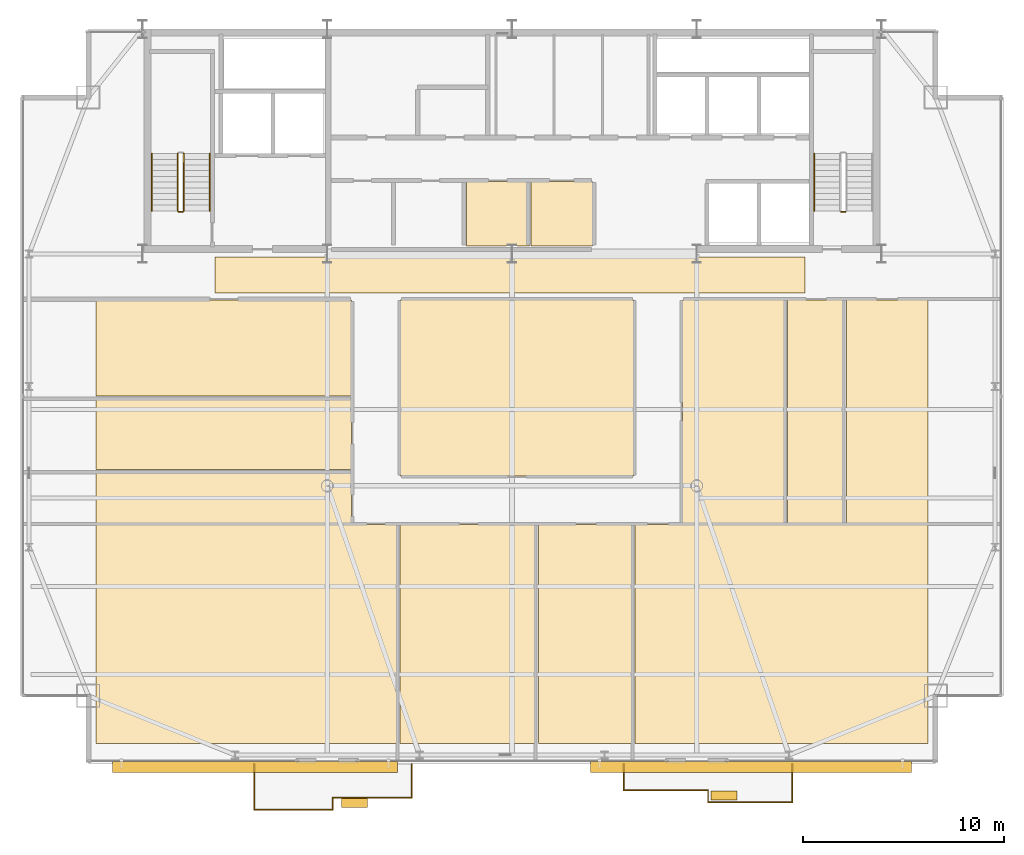
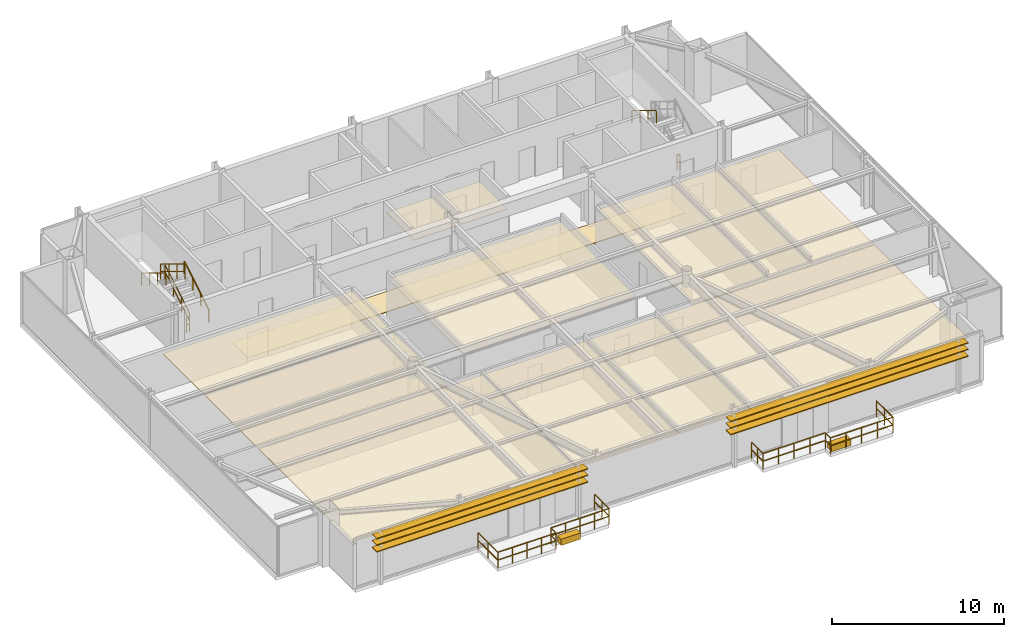
# One storey, part 29 of 30: 17 railings, 16 coverings, 6 shading devices.
"""IFC4 building model written with IfcOpenShell, lengths in metres."""

from ifc_helpers import new_model, si_unit, direction, frame, origin, origin_2d, place, context, subcontext, project, spatial, polyline, rectangle, outline, extrude, source, transform, mapped, material, layer, layer_set, type_object, type_shapes, element, save


model = new_model("IFC4")

# Units and contexts
model_context = context("Model", 3, precision=1e-05, world=origin(), true_north=direction((0.0, 1.0)))
body_context = subcontext(model_context, "Body", "Model", "MODEL_VIEW")
ifc_project = project(units=[si_unit("LENGTHUNIT", "METRE"), si_unit("AREAUNIT", "SQUARE_METRE"), si_unit("VOLUMEUNIT", "CUBIC_METRE"), si_unit("PLANEANGLEUNIT", "RADIAN"), si_unit("MASSUNIT", "GRAM", prefix="KILO")], contexts=[model_context])

# Site, building, storey
site_placement = place(None, origin())
site = spatial("IfcSite", under=ifc_project, at=site_placement, CompositionType="ELEMENT")
building_placement = place(site_placement, origin())
building = spatial("IfcBuilding", under=site, at=building_placement, Name="Varnel Quay Broadcast Tower", CompositionType="ELEMENT")
storey_placement = place(building_placement, frame((0.0, 0.0, 247.0)))
storey = spatial("IfcBuildingStorey", under=building, at=storey_placement, Name="L61", CompositionType="ELEMENT", Elevation=247.0)

# Coverings
ifc_material_1 = material(Name="Micro-Perforated Acoustic Ceiling Tile")
ifc_layer_1 = layer(ifc_material_1, 0.0400390625, Name="Micro-Perforated Acoustic Ceiling Tile")
ifc_layer_set_1 = layer_set([ifc_layer_1], Name="Micro-Perforated Acoustic Ceiling Tile")
covering_type_1 = type_object("IfcCoveringType", Name="Cov_AcousticCeiling", PredefinedType="CEILING", material=ifc_layer_set_1)
covering_1_placement = place(storey_placement, frame((0.0, 0.0, 2.580078125)))
element("IfcCovering", 1, at=covering_1_placement, inside=storey, type_object=covering_type_1, Name="L61 Broadcast First-Aid & Quiet Room Acoustic Ceiling", PredefinedType="CEILING", context=body_context, shape_type="SweptSolid", body=[
    extrude(outline(polyline([(31.735107421875, 35.985107421875), (34.864990234375, 35.985107421875), (34.864990234375, 39.215087890625), (31.735107421875, 39.215087890625), (31.735107421875, 35.985107421875)])), origin(), (0.0, 0.0, 1.0), 0.0400390625),
])
covering_2_placement = place(storey_placement, frame((0.0, 0.0, 2.580078125)))
element("IfcCovering", 2, at=covering_2_placement, inside=storey, type_object=covering_type_1, Name="L61 Zone Lighting Dimmer Room Acoustic Ceiling", PredefinedType="CEILING", context=body_context, shape_type="SweptSolid", body=[
    extrude(outline(polyline([(34.93505859375, 35.985107421875), (38.014892578125, 35.985107421875), (38.014892578125, 39.215087890625), (34.93505859375, 39.215087890625), (34.93505859375, 35.985107421875)])), origin(), (0.0, 0.0, 1.0), 0.0400390625),
])
covering_3_placement = place(storey_placement, frame((0.0, 0.0, 2.580078125)))
element("IfcCovering", 3, at=covering_3_placement, inside=storey, type_object=covering_type_1, Name="L61 Catering Kitchen 1 Acoustic Ceiling", PredefinedType="CEILING", context=body_context, shape_type="SweptSolid", body=[
    extrude(outline(polyline([(13.284912109375, 11.22509765625), (28.364990234375, 11.22509765625), (28.364990234375, 22.125), (13.284912109375, 22.125), (13.284912109375, 11.22509765625)])), origin(), (0.0, 0.0, 1.0), 0.0400390625),
])
covering_4_placement = place(storey_placement, frame((0.0, 0.0, 2.580078125)))
element("IfcCovering", 4, at=covering_4_placement, inside=storey, type_object=covering_type_1, Name="L61 Bureau Office 2 Acoustic Ceiling", PredefinedType="CEILING", context=body_context, shape_type="SweptSolid", body=[
    extrude(outline(polyline([(28.43505859375, 11.22509765625), (35.2451171875, 11.22509765625), (35.2451171875, 22.125), (28.43505859375, 22.125), (28.43505859375, 11.22509765625)])), origin(), (0.0, 0.0, 1.0), 0.0400390625),
])
covering_5_placement = place(storey_placement, frame((0.0, 0.0, 2.580078125)))
element("IfcCovering", 5, at=covering_5_placement, inside=storey, type_object=covering_type_1, Name="L61 Reading Lounge 3 Acoustic Ceiling", PredefinedType="CEILING", context=body_context, shape_type="SweptSolid", body=[
    extrude(outline(polyline([(35.31494140625, 11.22509765625), (40.06494140625, 11.22509765625), (40.06494140625, 22.125), (35.31494140625, 22.125), (35.31494140625, 11.22509765625)])), origin(), (0.0, 0.0, 1.0), 0.0400390625),
])
covering_6_placement = place(storey_placement, frame((0.0, 0.0, 2.580078125)))
element("IfcCovering", 6, at=covering_6_placement, inside=storey, type_object=covering_type_1, Name="L61 Broadcast Seminar Room 4 Acoustic Ceiling", PredefinedType="CEILING", context=body_context, shape_type="SweptSolid", body=[
    extrude(outline(polyline([(40.135009765625, 11.22509765625), (54.715087890625, 11.22509765625), (54.715087890625, 22.125), (40.135009765625, 22.125), (40.135009765625, 11.22509765625)])), origin(), (0.0, 0.0, 1.0), 0.0400390625),
])
covering_7_placement = place(storey_placement, frame((0.0, 0.0, 2.580078125)))
element("IfcCovering", 7, at=covering_7_placement, inside=storey, type_object=covering_type_1, Name="L61 Press Briefing Room 5 Acoustic Ceiling", PredefinedType="CEILING", context=body_context, shape_type="SweptSolid", body=[
    extrude(outline(polyline([(13.284912109375, 22.195068359375), (26.014892578125, 22.195068359375), (26.014892578125, 24.804931640625), (13.284912109375, 24.804931640625), (13.284912109375, 22.195068359375)])), origin(), (0.0, 0.0, 1.0), 0.0400390625),
])
covering_8_placement = place(storey_placement, frame((0.0, 0.0, 2.580078125)))
element("IfcCovering", 8, at=covering_8_placement, inside=storey, type_object=covering_type_1, Name="L61 Editorial Huddle Room 6 Acoustic Ceiling", PredefinedType="CEILING", context=body_context, shape_type="SweptSolid", body=[
    extrude(outline(polyline([(13.284912109375, 24.875), (26.014892578125, 24.875), (26.014892578125, 28.465087890625), (13.284912109375, 28.465087890625), (13.284912109375, 24.875)])), origin(), (0.0, 0.0, 1.0), 0.0400390625),
])
covering_9_placement = place(storey_placement, frame((0.0, 0.0, 2.580078125)))
element("IfcCovering", 9, at=covering_9_placement, inside=storey, type_object=covering_type_1, Name="L61 Journalism Training Studio 7 Acoustic Ceiling", PredefinedType="CEILING", context=body_context, shape_type="SweptSolid", body=[
    extrude(outline(polyline([(13.284912109375, 28.534912109375), (26.014892578125, 28.534912109375), (26.014892578125, 33.31494140625), (13.284912109375, 33.31494140625), (13.284912109375, 28.534912109375)])), origin(), (0.0, 0.0, 1.0), 0.0400390625),
])
covering_10_placement = place(storey_placement, frame((0.0, 0.0, 2.580078125)))
element("IfcCovering", 10, at=covering_10_placement, inside=storey, type_object=covering_type_1, Name="L61 Catering Kitchen 8 Acoustic Ceiling", PredefinedType="CEILING", context=body_context, shape_type="SweptSolid", body=[
    extrude(outline(polyline([(28.43505859375, 24.544921875), (40.06494140625, 24.544921875), (40.06494140625, 33.31494140625), (28.43505859375, 33.31494140625), (28.43505859375, 24.544921875)])), origin(), (0.0, 0.0, 1.0), 0.0400390625),
])
covering_11_placement = place(storey_placement, frame((0.0, 0.0, 2.580078125)))
element("IfcCovering", 11, at=covering_11_placement, inside=storey, type_object=covering_type_1, Name="L61 Bureau Office 9 Acoustic Ceiling", PredefinedType="CEILING", context=body_context, shape_type="SweptSolid", body=[
    extrude(outline(polyline([(42.485107421875, 22.195068359375), (47.655029296875, 22.195068359375), (47.655029296875, 33.31494140625), (42.485107421875, 33.31494140625), (42.485107421875, 22.195068359375)])), origin(), (0.0, 0.0, 1.0), 0.0400390625),
])
covering_12_placement = place(storey_placement, frame((0.0, 0.0, 2.580078125)))
element("IfcCovering", 12, at=covering_12_placement, inside=storey, type_object=covering_type_1, Name="L61 Reading Lounge 10 Acoustic Ceiling", PredefinedType="CEILING", context=body_context, shape_type="SweptSolid", body=[
    extrude(outline(polyline([(47.72509765625, 22.195068359375), (50.574951171875, 22.195068359375), (50.574951171875, 33.31494140625), (47.72509765625, 33.31494140625), (47.72509765625, 22.195068359375)])), origin(), (0.0, 0.0, 1.0), 0.0400390625),
])
covering_13_placement = place(storey_placement, frame((0.0, 0.0, 2.580078125)))
element("IfcCovering", 13, at=covering_13_placement, inside=storey, type_object=covering_type_1, Name="L61 Broadcast Seminar Room 11 Acoustic Ceiling", PredefinedType="CEILING", context=body_context, shape_type="SweptSolid", body=[
    extrude(outline(polyline([(50.64501953125, 22.195068359375), (54.715087890625, 22.195068359375), (54.715087890625, 33.31494140625), (50.64501953125, 33.31494140625), (50.64501953125, 22.195068359375)])), origin(), (0.0, 0.0, 1.0), 0.0400390625),
])
ifc_material_2 = material(Name="Polished Terrazzo & Broadcast Raised Flooring")
ifc_layer_2 = layer(ifc_material_2, 0.0400390625, Name="Polished Terrazzo & Broadcast Raised Flooring")
ifc_layer_set_2 = layer_set([ifc_layer_2], Name="Polished Terrazzo & Broadcast Raised Flooring")
covering_type_2 = type_object("IfcCoveringType", Name="Cov_TerrazzoFloor", PredefinedType="FLOORING", material=ifc_layer_set_2)
covering_14_placement = place(storey_placement, origin())
element("IfcCovering", 14, at=covering_14_placement, inside=storey, type_object=covering_type_2, Name="L61 Corridor Terrazzo Flooring", PredefinedType="FLOORING", context=body_context, shape_type="SweptSolid", body=[
    extrude(outline(polyline([(19.199951171875, 33.64990234375), (48.60009765625, 33.64990234375), (48.60009765625, 35.449951171875), (19.199951171875, 35.449951171875), (19.199951171875, 33.64990234375)])), origin(), (0.0, 0.0, 1.0), 0.0400390625),
])

# Railings
ifc_material_3 = material(Name="Anodised Bronze Aluminium 6063-T6", Category="aluminium")
railing_type_1 = type_object("IfcRailingType", Name="Rail_Balustrade1150", PredefinedType="BALUSTRADE", material=ifc_material_3)
railing_1_placement = place(storey_placement, frame((21.159912109375, 7.9140625, 0.0)))
element("IfcRailing", 15, at=railing_1_placement, inside=storey, type_object=railing_type_1, Name="L61 Terrace 1 Guard 1", PredefinedType="BALUSTRADE", context=body_context, shape_type="SweptSolid", body=[
    extrude(rectangle(XDim=0.048095703125, YDim=0.048095703125, at=origin_2d()), frame((0.0, 0.0, 1.1259765625), z_axis=(1.0, 0.0, 0.0), x_axis=(0.0, 1.0, 0.0)), (0.0, 0.0, 1.0), 3.920166015625),
    extrude(rectangle(XDim=0.048095703125, YDim=0.048095703125, at=origin_2d()), frame((0.0, 0.0, 0.574951171875), z_axis=(1.0, 0.0, 0.0), x_axis=(0.0, 1.0, 0.0)), (0.0, 0.0, 1.0), 3.920166015625),
    extrude(rectangle(XDim=0.0419921875, YDim=0.0419921875, at=origin_2d()), origin(), (0.0, 0.0, 1.0), 1.101806640625),
    extrude(rectangle(XDim=0.0419921875, YDim=0.0419921875, at=origin_2d()), frame((0.97998046875, 0.0, 0.0)), (0.0, 0.0, 1.0), 1.101806640625),
    extrude(rectangle(XDim=0.0419921875, YDim=0.0419921875, at=origin_2d()), frame((1.9599609375, 0.0, 0.0)), (0.0, 0.0, 1.0), 1.101806640625),
    extrude(rectangle(XDim=0.0419921875, YDim=0.0419921875, at=origin_2d()), frame((2.940185546875, 0.0, 0.0)), (0.0, 0.0, 1.0), 1.101806640625),
    extrude(rectangle(XDim=0.0419921875, YDim=0.0419921875, at=origin_2d()), frame((3.920166015625, 0.0, 0.0)), (0.0, 0.0, 1.0), 1.101806640625),
])
railing_2_placement = place(storey_placement, frame((25.080078125, 7.9140625, 0.0)))
element("IfcRailing", 16, at=railing_2_placement, inside=storey, type_object=railing_type_1, Name="L61 Terrace 1 Guard 2", PredefinedType="BALUSTRADE", context=body_context, shape_type="SweptSolid", body=[
    extrude(rectangle(XDim=0.048095703125, YDim=0.048095703125, at=origin_2d()), frame((0.0, 0.0, 1.1259765625), z_axis=(0.0, 1.0, 0.0), x_axis=(-1.0, 0.0, 0.0)), (0.0, 0.0, 1.0), 0.599853515625),
    extrude(rectangle(XDim=0.048095703125, YDim=0.048095703125, at=origin_2d()), frame((0.0, 0.0, 0.574951171875), z_axis=(0.0, 1.0, 0.0), x_axis=(-1.0, 0.0, 0.0)), (0.0, 0.0, 1.0), 0.599853515625),
    extrude(rectangle(XDim=0.0419921875, YDim=0.0419921875, at=origin_2d()), origin(), (0.0, 0.0, 1.0), 1.101806640625),
    extrude(rectangle(XDim=0.0419921875, YDim=0.0419921875, at=origin_2d()), frame((0.0, 0.599853515625, 0.0)), (0.0, 0.0, 1.0), 1.101806640625),
])
railing_3_placement = place(storey_placement, frame((25.080078125, 8.513916015625, 0.0)))
element("IfcRailing", 17, at=railing_3_placement, inside=storey, type_object=railing_type_1, Name="L61 Terrace 1 Guard 3", PredefinedType="BALUSTRADE", context=body_context, shape_type="SweptSolid", body=[
    extrude(rectangle(XDim=0.048095703125, YDim=0.048095703125, at=origin_2d()), frame((0.0, 0.0, 1.1259765625), z_axis=(1.0, 0.0, 0.0), x_axis=(0.0, 1.0, 0.0)), (0.0, 0.0, 1.0), 3.919921875),
    extrude(rectangle(XDim=0.048095703125, YDim=0.048095703125, at=origin_2d()), frame((0.0, 0.0, 0.574951171875), z_axis=(1.0, 0.0, 0.0), x_axis=(0.0, 1.0, 0.0)), (0.0, 0.0, 1.0), 3.919921875),
    extrude(rectangle(XDim=0.0419921875, YDim=0.0419921875, at=origin_2d()), origin(), (0.0, 0.0, 1.0), 1.101806640625),
    extrude(rectangle(XDim=0.0419921875, YDim=0.0419921875, at=origin_2d()), frame((0.97998046875, 0.0, 0.0)), (0.0, 0.0, 1.0), 1.101806640625),
    extrude(rectangle(XDim=0.0419921875, YDim=0.0419921875, at=origin_2d()), frame((1.9599609375, 0.0, 0.0)), (0.0, 0.0, 1.0), 1.101806640625),
    extrude(rectangle(XDim=0.0419921875, YDim=0.0419921875, at=origin_2d()), frame((2.93994140625, 0.0, 0.0)), (0.0, 0.0, 1.0), 1.101806640625),
    extrude(rectangle(XDim=0.0419921875, YDim=0.0419921875, at=origin_2d()), frame((3.919921875, 0.0, 0.0)), (0.0, 0.0, 1.0), 1.101806640625),
])
railing_4_placement = place(storey_placement, frame((29.0, 8.513916015625, 0.0)))
element("IfcRailing", 18, at=railing_4_placement, inside=storey, type_object=railing_type_1, Name="L61 Terrace 1 Guard 4", PredefinedType="BALUSTRADE", context=body_context, shape_type="SweptSolid", body=[
    extrude(rectangle(XDim=0.048095703125, YDim=0.048095703125, at=origin_2d()), frame((0.0, 0.0, 1.1259765625), z_axis=(0.0, 1.0, 0.0), x_axis=(-1.0, 0.0, 0.0)), (0.0, 0.0, 1.0), 1.68603515625),
    extrude(rectangle(XDim=0.048095703125, YDim=0.048095703125, at=origin_2d()), frame((0.0, 0.0, 0.574951171875), z_axis=(0.0, 1.0, 0.0), x_axis=(-1.0, 0.0, 0.0)), (0.0, 0.0, 1.0), 1.68603515625),
    extrude(rectangle(XDim=0.0419921875, YDim=0.0419921875, at=origin_2d()), origin(), (0.0, 0.0, 1.0), 1.101806640625),
    extrude(rectangle(XDim=0.0419921875, YDim=0.0419921875, at=origin_2d()), frame((0.0, 0.843017578125, 0.0)), (0.0, 0.0, 1.0), 1.101806640625),
    extrude(rectangle(XDim=0.0419921875, YDim=0.0419921875, at=origin_2d()), frame((0.0, 1.68603515625, 0.0)), (0.0, 0.0, 1.0), 1.101806640625),
])
railing_5_placement = place(storey_placement, frame((21.159912109375, 10.199951171875, 0.0)))
element("IfcRailing", 19, at=railing_5_placement, inside=storey, type_object=railing_type_1, Name="L61 Terrace 1 Guard 6", PredefinedType="BALUSTRADE", context=body_context, shape_type="SweptSolid", body=[
    extrude(rectangle(XDim=0.048095703125, YDim=0.048095703125, at=origin_2d()), frame((0.0, 0.0, 1.1259765625), z_axis=(0.0, -1.0, 0.0), x_axis=(1.0, 0.0, 0.0)), (0.0, 0.0, 1.0), 2.285888671875),
    extrude(rectangle(XDim=0.048095703125, YDim=0.048095703125, at=origin_2d()), frame((0.0, 0.0, 0.574951171875), z_axis=(0.0, -1.0, 0.0), x_axis=(1.0, 0.0, 0.0)), (0.0, 0.0, 1.0), 2.285888671875),
    extrude(rectangle(XDim=0.0419921875, YDim=0.0419921875, at=origin_2d()), origin(), (0.0, 0.0, 1.0), 1.101806640625),
    extrude(rectangle(XDim=0.0419921875, YDim=0.0419921875, at=origin_2d()), frame((0.0, -1.14306640625, 0.0)), (0.0, 0.0, 1.0), 1.101806640625),
    extrude(rectangle(XDim=0.0419921875, YDim=0.0419921875, at=origin_2d()), frame((0.0, -2.285888671875, 0.0)), (0.0, 0.0, 1.0), 1.101806640625),
])
railing_6_placement = place(storey_placement, frame((39.56005859375, 8.885986328125, 0.0)))
element("IfcRailing", 20, at=railing_6_placement, inside=storey, type_object=railing_type_1, Name="L61 Terrace 2 Guard 1", PredefinedType="BALUSTRADE", context=body_context, shape_type="SweptSolid", body=[
    extrude(rectangle(XDim=0.048095703125, YDim=0.048095703125, at=origin_2d()), frame((0.0, 0.0, 1.1259765625), z_axis=(1.0, 0.0, 0.0), x_axis=(0.0, 1.0, 0.0)), (0.0, 0.0, 1.0), 4.199951171875),
    extrude(rectangle(XDim=0.048095703125, YDim=0.048095703125, at=origin_2d()), frame((0.0, 0.0, 0.574951171875), z_axis=(1.0, 0.0, 0.0), x_axis=(0.0, 1.0, 0.0)), (0.0, 0.0, 1.0), 4.199951171875),
    extrude(rectangle(XDim=0.0419921875, YDim=0.0419921875, at=origin_2d()), origin(), (0.0, 0.0, 1.0), 1.101806640625),
    extrude(rectangle(XDim=0.0419921875, YDim=0.0419921875, at=origin_2d()), frame((1.050048828125, 0.0, 0.0)), (0.0, 0.0, 1.0), 1.101806640625),
    extrude(rectangle(XDim=0.0419921875, YDim=0.0419921875, at=origin_2d()), frame((2.10009765625, 0.0, 0.0)), (0.0, 0.0, 1.0), 1.101806640625),
    extrude(rectangle(XDim=0.0419921875, YDim=0.0419921875, at=origin_2d()), frame((3.14990234375, 0.0, 0.0)), (0.0, 0.0, 1.0), 1.101806640625),
    extrude(rectangle(XDim=0.0419921875, YDim=0.0419921875, at=origin_2d()), frame((4.199951171875, 0.0, 0.0)), (0.0, 0.0, 1.0), 1.101806640625),
])
railing_7_placement = place(storey_placement, frame((43.760009765625, 8.885986328125, 0.0)))
element("IfcRailing", 21, at=railing_7_placement, inside=storey, type_object=railing_type_1, Name="L61 Terrace 2 Guard 2", PredefinedType="BALUSTRADE", context=body_context, shape_type="SweptSolid", body=[
    extrude(rectangle(XDim=0.048095703125, YDim=0.048095703125, at=origin_2d()), frame((0.0, 0.0, 1.1259765625), z_axis=(0.0, -1.0, 0.0), x_axis=(1.0, 0.0, 0.0)), (0.0, 0.0, 1.0), 0.60009765625),
    extrude(rectangle(XDim=0.048095703125, YDim=0.048095703125, at=origin_2d()), frame((0.0, 0.0, 0.574951171875), z_axis=(0.0, -1.0, 0.0), x_axis=(1.0, 0.0, 0.0)), (0.0, 0.0, 1.0), 0.60009765625),
    extrude(rectangle(XDim=0.0419921875, YDim=0.0419921875, at=origin_2d()), origin(), (0.0, 0.0, 1.0), 1.101806640625),
    extrude(rectangle(XDim=0.0419921875, YDim=0.0419921875, at=origin_2d()), frame((0.0, -0.60009765625, 0.0)), (0.0, 0.0, 1.0), 1.101806640625),
])
railing_8_placement = place(storey_placement, frame((43.760009765625, 8.285888671875, 0.0)))
element("IfcRailing", 22, at=railing_8_placement, inside=storey, type_object=railing_type_1, Name="L61 Terrace 2 Guard 3", PredefinedType="BALUSTRADE", context=body_context, shape_type="SweptSolid", body=[
    extrude(rectangle(XDim=0.048095703125, YDim=0.048095703125, at=origin_2d()), frame((0.0, 0.0, 1.1259765625), z_axis=(1.0, 0.0, 0.0), x_axis=(0.0, 1.0, 0.0)), (0.0, 0.0, 1.0), 4.199951171875),
    extrude(rectangle(XDim=0.048095703125, YDim=0.048095703125, at=origin_2d()), frame((0.0, 0.0, 0.574951171875), z_axis=(1.0, 0.0, 0.0), x_axis=(0.0, 1.0, 0.0)), (0.0, 0.0, 1.0), 4.199951171875),
    extrude(rectangle(XDim=0.0419921875, YDim=0.0419921875, at=origin_2d()), origin(), (0.0, 0.0, 1.0), 1.101806640625),
    extrude(rectangle(XDim=0.0419921875, YDim=0.0419921875, at=origin_2d()), frame((1.050048828125, 0.0, 0.0)), (0.0, 0.0, 1.0), 1.101806640625),
    extrude(rectangle(XDim=0.0419921875, YDim=0.0419921875, at=origin_2d()), frame((2.10009765625, 0.0, 0.0)), (0.0, 0.0, 1.0), 1.101806640625),
    extrude(rectangle(XDim=0.0419921875, YDim=0.0419921875, at=origin_2d()), frame((3.14990234375, 0.0, 0.0)), (0.0, 0.0, 1.0), 1.101806640625),
    extrude(rectangle(XDim=0.0419921875, YDim=0.0419921875, at=origin_2d()), frame((4.199951171875, 0.0, 0.0)), (0.0, 0.0, 1.0), 1.101806640625),
])
railing_9_placement = place(storey_placement, frame((47.9599609375, 8.285888671875, 0.0)))
element("IfcRailing", 23, at=railing_9_placement, inside=storey, type_object=railing_type_1, Name="L61 Terrace 2 Guard 4", PredefinedType="BALUSTRADE", context=body_context, shape_type="SweptSolid", body=[
    extrude(rectangle(XDim=0.048095703125, YDim=0.048095703125, at=origin_2d()), frame((0.0, 0.0, 1.1259765625), z_axis=(0.0, 1.0, 0.0), x_axis=(-1.0, 0.0, 0.0)), (0.0, 0.0, 1.0), 1.9140625),
    extrude(rectangle(XDim=0.048095703125, YDim=0.048095703125, at=origin_2d()), frame((0.0, 0.0, 0.574951171875), z_axis=(0.0, 1.0, 0.0), x_axis=(-1.0, 0.0, 0.0)), (0.0, 0.0, 1.0), 1.9140625),
    extrude(rectangle(XDim=0.0419921875, YDim=0.0419921875, at=origin_2d()), origin(), (0.0, 0.0, 1.0), 1.101806640625),
    extrude(rectangle(XDim=0.0419921875, YDim=0.0419921875, at=origin_2d()), frame((0.0, 0.95703125, 0.0)), (0.0, 0.0, 1.0), 1.101806640625),
    extrude(rectangle(XDim=0.0419921875, YDim=0.0419921875, at=origin_2d()), frame((0.0, 1.9140625, 0.0)), (0.0, 0.0, 1.0), 1.101806640625),
])
railing_10_placement = place(storey_placement, frame((39.56005859375, 10.199951171875, 0.0)))
element("IfcRailing", 24, at=railing_10_placement, inside=storey, type_object=railing_type_1, Name="L61 Terrace 2 Guard 6", PredefinedType="BALUSTRADE", context=body_context, shape_type="SweptSolid", body=[
    extrude(rectangle(XDim=0.048095703125, YDim=0.048095703125, at=origin_2d()), frame((0.0, 0.0, 1.1259765625), z_axis=(0.0, -1.0, 0.0), x_axis=(1.0, 0.0, 0.0)), (0.0, 0.0, 1.0), 1.31396484375),
    extrude(rectangle(XDim=0.048095703125, YDim=0.048095703125, at=origin_2d()), frame((0.0, 0.0, 0.574951171875), z_axis=(0.0, -1.0, 0.0), x_axis=(1.0, 0.0, 0.0)), (0.0, 0.0, 1.0), 1.31396484375),
    extrude(rectangle(XDim=0.0419921875, YDim=0.0419921875, at=origin_2d()), origin(), (0.0, 0.0, 1.0), 1.101806640625),
    extrude(rectangle(XDim=0.0419921875, YDim=0.0419921875, at=origin_2d()), frame((0.0, -0.656982421875, 0.0)), (0.0, 0.0, 1.0), 1.101806640625),
    extrude(rectangle(XDim=0.0419921875, YDim=0.0419921875, at=origin_2d()), frame((0.0, -1.31396484375, 0.0)), (0.0, 0.0, 1.0), 1.101806640625),
])
ifc_material_4 = material(Name="Painted Steel Guard and Handrail CSA G40.21 350W", Category="steel")
railing_type_2 = type_object("IfcRailingType", Name="Rail_StairGuard1100", PredefinedType="GUARDRAIL", material=ifc_material_4)
railing_11_placement = place(storey_placement, frame((17.64990234375, 37.75, 0.172607421875)))
element("IfcRailing", 25, at=railing_11_placement, inside=storey, type_object=railing_type_2, Name="L61 ST-01 stair guard 1", PredefinedType="GUARDRAIL", context=body_context, shape_type="SweptSolid", body=[
    extrude(rectangle(XDim=0.048095703125, YDim=0.048095703125, at=origin_2d()), frame((0.0, 0.0, 1.076171875), z_axis=(0.0, 0.855202751398, 0.518293598264), x_axis=(-1.0, 0.0, 0.0)), (0.0, 0.0, 1.0), 3.332763671875),
    extrude(rectangle(XDim=0.048095703125, YDim=0.048095703125, at=origin_2d()), frame((0.0, 0.0, 0.550048828125), z_axis=(0.0, 0.855202751398, 0.518293598264), x_axis=(-1.0, 0.0, 0.0)), (0.0, 0.0, 1.0), 3.332763671875),
    extrude(rectangle(XDim=0.0419921875, YDim=0.0419921875, at=origin_2d()), origin(), (0.0, 0.0, 1.0), 1.052001953125),
    extrude(rectangle(XDim=0.0419921875, YDim=0.0419921875, at=origin_2d()), frame((0.0, 0.949951171875, 0.57568359375)), (0.0, 0.0, 1.0), 1.052001953125),
    extrude(rectangle(XDim=0.0419921875, YDim=0.0419921875, at=origin_2d()), frame((0.0, 1.900146484375, 1.151611328125)), (0.0, 0.0, 1.0), 1.052001953125),
    extrude(rectangle(XDim=0.0419921875, YDim=0.0419921875, at=origin_2d()), frame((0.0, 2.85009765625, 1.727294921875)), (0.0, 0.0, 1.0), 1.052001953125),
])
railing_12_placement = place(storey_placement, frame((17.35009765625, 40.60009765625, 2.07275390625)))
element("IfcRailing", 26, at=railing_12_placement, inside=storey, type_object=railing_type_2, Name="L61 ST-01 stair guard 3", PredefinedType="GUARDRAIL", context=body_context, shape_type="SweptSolid", body=[
    extrude(rectangle(XDim=0.048095703125, YDim=0.048095703125, at=origin_2d()), frame((0.0, 0.0, 1.076171875), z_axis=(0.0, -0.855202751398, 0.518293598264), x_axis=(1.0, 0.0, 0.0)), (0.0, 0.0, 1.0), 3.332763671875),
    extrude(rectangle(XDim=0.048095703125, YDim=0.048095703125, at=origin_2d()), frame((0.0, 0.0, 0.550048828125), z_axis=(0.0, -0.855202751398, 0.518293598264), x_axis=(1.0, 0.0, 0.0)), (0.0, 0.0, 1.0), 3.332763671875),
    extrude(rectangle(XDim=0.0419921875, YDim=0.0419921875, at=origin_2d()), origin(), (0.0, 0.0, 1.0), 1.052001953125),
    extrude(rectangle(XDim=0.0419921875, YDim=0.0419921875, at=origin_2d()), frame((0.0, -0.949951171875, 0.57568359375)), (0.0, 0.0, 1.0), 1.052001953125),
    extrude(rectangle(XDim=0.0419921875, YDim=0.0419921875, at=origin_2d()), frame((0.0, -1.900146484375, 1.151611328125)), (0.0, 0.0, 1.0), 1.052001953125),
    extrude(rectangle(XDim=0.0419921875, YDim=0.0419921875, at=origin_2d()), frame((0.0, -2.85009765625, 1.727294921875)), (0.0, 0.0, 1.0), 1.052001953125),
])
for number, where, name in (
    (27, (17.60009765625, 37.699951171875, 0.0), "L61 ST-01 stair guard 4"),
    (28, (50.60009765625, 37.699951171875, 0.0), "L61 ST-02 stair guard 4"),
):
    element("IfcRailing", number, at=place(storey_placement, frame(where)), inside=storey, type_object=railing_type_2, Name=name, PredefinedType="GUARDRAIL", context=body_context, shape_type="SweptSolid", body=[
        extrude(rectangle(XDim=0.048095703125, YDim=0.048095703125, at=origin_2d()), frame((0.0, 0.0, 1.076171875), z_axis=(-1.0, 0.0, 0.0), x_axis=(0.0, -1.0, 0.0)), (0.0, 0.0, 1.0), 0.2001953125),
        extrude(rectangle(XDim=0.048095703125, YDim=0.048095703125, at=origin_2d()), frame((0.0, 0.0, 0.550048828125), z_axis=(-1.0, 0.0, 0.0), x_axis=(0.0, -1.0, 0.0)), (0.0, 0.0, 1.0), 0.2001953125),
        extrude(rectangle(XDim=0.0419921875, YDim=0.0419921875, at=origin_2d()), origin(), (0.0, 0.0, 1.0), 1.052001953125),
        extrude(rectangle(XDim=0.0419921875, YDim=0.0419921875, at=origin_2d()), frame((-0.2001953125, 0.0, 0.0)), (0.0, 0.0, 1.0), 1.052001953125),
    ])
railing_type_3 = type_object("IfcRailingType", Name="Rail_StairHandrail900", PredefinedType="HANDRAIL", material=ifc_material_4)
railing_13_placement = place(storey_placement, frame((18.949951171875, 37.75, 0.172607421875)))
element("IfcRailing", 29, at=railing_13_placement, inside=storey, type_object=railing_type_3, Name="L61 ST-01 stair handrail 1", PredefinedType="HANDRAIL", context=body_context, shape_type="SweptSolid", body=[
    extrude(rectangle(XDim=0.048095703125, YDim=0.048095703125, at=origin_2d()), frame((0.0, 0.0, 0.8759765625), z_axis=(0.0, 0.855202751398, 0.518293598264), x_axis=(-1.0, 0.0, 0.0)), (0.0, 0.0, 1.0), 3.332763671875),
    extrude(rectangle(XDim=0.0419921875, YDim=0.0419921875, at=origin_2d()), origin(), (0.0, 0.0, 1.0), 0.851806640625),
    extrude(rectangle(XDim=0.0419921875, YDim=0.0419921875, at=origin_2d()), frame((0.0, 0.949951171875, 0.57568359375)), (0.0, 0.0, 1.0), 0.851806640625),
    extrude(rectangle(XDim=0.0419921875, YDim=0.0419921875, at=origin_2d()), frame((0.0, 1.900146484375, 1.151611328125)), (0.0, 0.0, 1.0), 0.851806640625),
    extrude(rectangle(XDim=0.0419921875, YDim=0.0419921875, at=origin_2d()), frame((0.0, 2.85009765625, 1.727294921875)), (0.0, 0.0, 1.0), 0.851806640625),
])
for number, where, name in (
    (30, (16.050048828125, 40.60009765625, 2.07275390625), "L61 ST-01 stair handrail 2"),
    (31, (49.050048828125, 40.60009765625, 2.07275390625), "L61 ST-02 stair handrail 2"),
):
    element("IfcRailing", number, at=place(storey_placement, frame(where)), inside=storey, type_object=railing_type_3, Name=name, PredefinedType="HANDRAIL", context=body_context, shape_type="SweptSolid", body=[
        extrude(rectangle(XDim=0.048095703125, YDim=0.048095703125, at=origin_2d()), frame((0.0, 0.0, 0.8759765625), z_axis=(0.0, -0.855202751398, 0.518293598264), x_axis=(1.0, 0.0, 0.0)), (0.0, 0.0, 1.0), 3.332763671875),
        extrude(rectangle(XDim=0.0419921875, YDim=0.0419921875, at=origin_2d()), origin(), (0.0, 0.0, 1.0), 0.851806640625),
        extrude(rectangle(XDim=0.0419921875, YDim=0.0419921875, at=origin_2d()), frame((0.0, -0.949951171875, 0.57568359375)), (0.0, 0.0, 1.0), 0.851806640625),
        extrude(rectangle(XDim=0.0419921875, YDim=0.0419921875, at=origin_2d()), frame((0.0, -1.900146484375, 1.151611328125)), (0.0, 0.0, 1.0), 0.851806640625),
        extrude(rectangle(XDim=0.0419921875, YDim=0.0419921875, at=origin_2d()), frame((0.0, -2.85009765625, 1.727294921875)), (0.0, 0.0, 1.0), 0.851806640625),
    ])

# Coverings
ifc_material_5 = material(Name="Bronze-Terracotta Extruded Ceramic Blade", Category="masonry")
ifc_layer_3 = layer(ifc_material_5, 0.449951171875, Name="Bronze-Terracotta Extruded Ceramic Blade")
ifc_layer_set_3 = layer_set([ifc_layer_3], Name="Bronze-Terracotta Extruded Ceramic Blade")
covering_type_3 = type_object("IfcCoveringType", Name="Cov_BronzePlanter", PredefinedType="CLADDING", material=ifc_layer_set_3)
shared_shape_1 = source(origin(), body_context, "Body", "SweptSolid", [
    extrude(rectangle(XDim=1.300048828125, YDim=0.449951171875, at=origin_2d()), origin(), (0.0, 0.0, 1.0), 0.449951171875),
])
type_shapes(covering_type_3, [shared_shape_1])
for number, where, z_axis, x_axis, name in (
    (32, (26.14990234375, 8.263916015625, 0.0), (0.0, 0.0, 1.0), (1.0, 0.0, 0.0), "L61 Terrace 1 Bronze Planter"),
    (33, (44.550048828125, 8.635986328125, 0.0), (0.0, 0.0, 1.0), (1.0, 0.0, 0.0), "L61 Terrace 2 Bronze Planter"),
):
    element("IfcCovering", number, at=place(storey_placement, frame(where, z_axis=z_axis, x_axis=x_axis)), inside=storey, type_object=covering_type_3, Name=name, PredefinedType="CLADDING", context=body_context, shape_type="MappedRepresentation", body=[
        mapped(shared_shape_1, transform((0.0, 0.0, 0.0), x_axis=(1.0, 0.0, 0.0), y_axis=(0.0, 1.0, 0.0), z_axis=(0.0, 0.0, 1.0), scale=1.0)),
    ])

# Shading devices
ifc_layer_4 = layer(ifc_material_5, 0.06494140625, Name="Bronze-Terracotta Extruded Ceramic Blade")
ifc_layer_set_4 = layer_set([ifc_layer_4], Name="Bronze-Terracotta Extruded Ceramic Blade")
shading_device_type = type_object("IfcShadingDeviceType", Name="Shade_LouvreBlade550", PredefinedType="JALOUSIE", material=ifc_layer_set_4)
shared_shape_2 = source(origin(), body_context, "Body", "SweptSolid", [
    extrude(rectangle(XDim=15.9951171875, YDim=0.550048828125, at=origin_2d()), origin(), (0.0, 0.0, 1.0), 0.06494140625),
])
for number, where, z_axis, x_axis, name in (
    (34, (45.903076171875, 10.06005859375, 2.447509765625), (0.0, 0.0, 1.0), (1.0, 0.0, 0.0), "L61 Lobe 2 Horizontal Louvre Blade 1"),
    (35, (45.903076171875, 10.06005859375, 2.927490234375), (0.0, 0.0, 1.0), (1.0, 0.0, 0.0), "L61 Lobe 2 Horizontal Louvre Blade 2"),
    (36, (45.903076171875, 10.06005859375, 3.387451171875), (0.0, 0.0, 1.0), (1.0, 0.0, 0.0), "L61 Lobe 2 Horizontal Louvre Blade 3"),
):
    element("IfcShadingDevice", number, at=place(storey_placement, frame(where, z_axis=z_axis, x_axis=x_axis)), inside=storey, type_object=shading_device_type, Name=name, PredefinedType="JALOUSIE", context=body_context, shape_type="MappedRepresentation", body=[
        mapped(shared_shape_2, transform((0.0, 0.0, 0.0), x_axis=(1.0, 0.0, 0.0), y_axis=(0.0, 1.0, 0.0), z_axis=(0.0, 0.0, 1.0), scale=1.0)),
    ])
shared_shape_3 = source(origin(), body_context, "Body", "SweptSolid", [
    extrude(rectangle(XDim=14.205078125, YDim=0.550048828125, at=origin_2d()), origin(), (0.0, 0.0, 1.0), 0.06494140625),
])
type_shapes(shading_device_type, [shared_shape_2, shared_shape_3])
for number, where, z_axis, x_axis, name in (
    (37, (21.202880859375, 10.06005859375, 2.447509765625), (0.0, 0.0, 1.0), (1.0, 0.0, 0.0), "L61 Lobe 1 Horizontal Louvre Blade 1"),
    (38, (21.202880859375, 10.06005859375, 2.927490234375), (0.0, 0.0, 1.0), (1.0, 0.0, 0.0), "L61 Lobe 1 Horizontal Louvre Blade 2"),
    (39, (21.202880859375, 10.06005859375, 3.387451171875), (0.0, 0.0, 1.0), (1.0, 0.0, 0.0), "L61 Lobe 1 Horizontal Louvre Blade 3"),
):
    element("IfcShadingDevice", number, at=place(storey_placement, frame(where, z_axis=z_axis, x_axis=x_axis)), inside=storey, type_object=shading_device_type, Name=name, PredefinedType="JALOUSIE", context=body_context, shape_type="MappedRepresentation", body=[
        mapped(shared_shape_3, transform((0.0, 0.0, 0.0), x_axis=(1.0, 0.0, 0.0), y_axis=(0.0, 1.0, 0.0), z_axis=(0.0, 0.0, 1.0), scale=1.0)),
    ])

save(model, "model.ifc")
